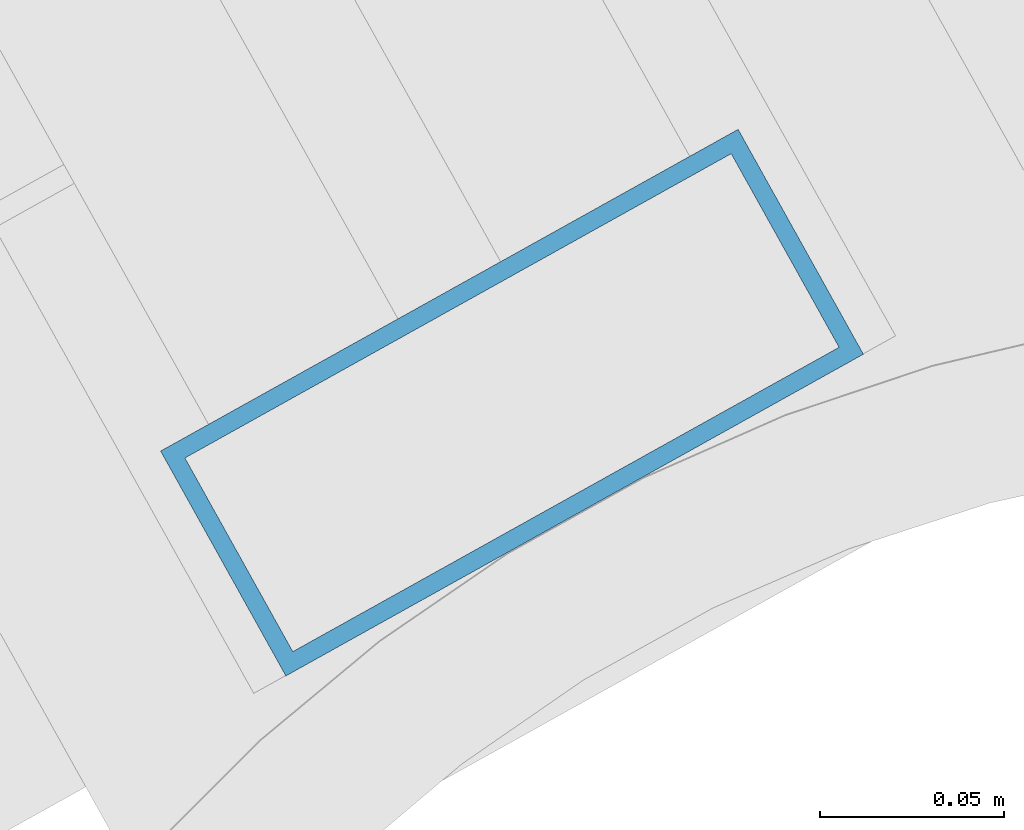
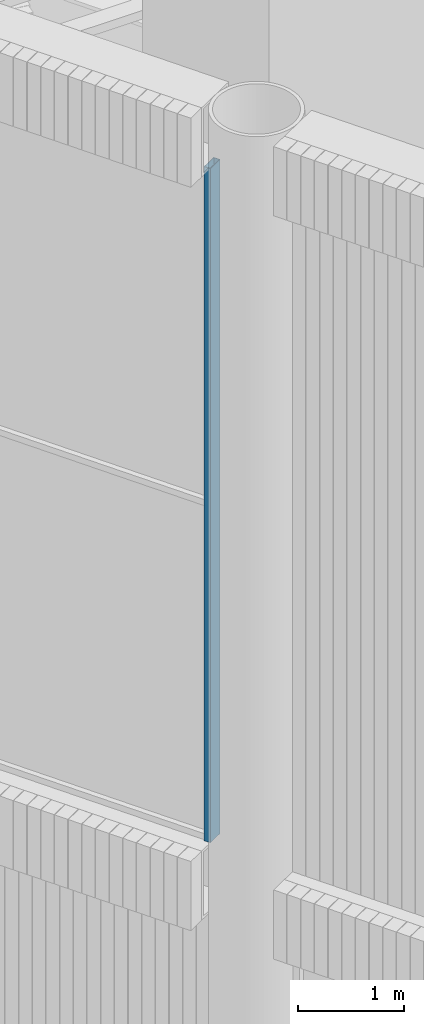
# One storey, part 4 of 117: 1 member, 1 element without a shape of its own.
"""IFC4 building model written with IfcOpenShell, lengths in metres."""

from ifc_helpers import new_model, si_unit, direction, frame, origin, origin_2d, place, context, subcontext, project, spatial, hollow_rectangle, extrude, material, layer, layer_set, material_profile, profile_set, type_object, element, aggregate, save


model = new_model("IFC4")

# Units and contexts
model_context = context("Model", 3, precision=1e-05, world=origin(), true_north=direction((0.0, 1.0)))
body_context = subcontext(model_context, "Body", "Model", "MODEL_VIEW")
ifc_project = project(units=[si_unit("LENGTHUNIT", "METRE"), si_unit("AREAUNIT", "SQUARE_METRE"), si_unit("VOLUMEUNIT", "CUBIC_METRE"), si_unit("PLANEANGLEUNIT", "RADIAN"), si_unit("MASSUNIT", "GRAM", prefix="KILO")], contexts=[model_context])

# Site, building, storey
site_placement = place(None, origin())
site = spatial("IfcSite", under=ifc_project, at=site_placement, CompositionType="ELEMENT")
building_placement = place(site_placement, origin())
building = spatial("IfcBuilding", under=site, at=building_placement, Name="Tarsis Ring Headquarters", CompositionType="ELEMENT")
storey_placement = place(building_placement, frame((0.0, 0.0, 403.60009765625)))
storey = spatial("IfcBuildingStorey", under=building, at=storey_placement, Name="L95", CompositionType="ELEMENT", Elevation=403.60009765625)

# Curtain wall, member
ifc_material_1 = material(Name="Aluminium curtain wall", Category="aluminium")
ifc_layer = layer(ifc_material_1, 0.179931640625)
ifc_layer_set = layer_set([ifc_layer], Name="Curtain wall crown glazing")
curtain_wall_type = type_object("IfcCurtainWallType", Name="Curtain wall crown glazing", PredefinedType="NOTDEFINED", material=ifc_layer_set)
curtain_wall_placement = place(storey_placement, origin())
curtain_wall = element("IfcCurtainWall", 1, at=curtain_wall_placement, inside=storey, type_object=curtain_wall_type, Name="Crown glazing U16", PredefinedType="NOTDEFINED")
ifc_material_2 = material(Name="Aluminium mullion", Category="aluminium")
ifc_material_profile = material_profile(ifc_material_2, hollow_rectangle(XDim=0.179931640625, YDim=0.070068359375, WallThickness=0.0048828125, at=origin_2d()), Name="RHS 180x70x5")
ifc_profile_set = profile_set([ifc_material_profile], Name="Aluminium mullion")
member_type = type_object("IfcMemberType", Name="Crown glazing mullion RHS 180x70x5", PredefinedType="MULLION", material=ifc_profile_set)
member_placement = place(storey_placement, frame((-37.629638671875, -20.3984375, 14.39990234375), z_axis=(0.0, 0.0, 1.0), x_axis=(0.873602436001, 0.48664030229, 0.0)))
member = element("IfcMember", 2, at=member_placement, type_object=member_type, Name="CW-C mullion 6", PredefinedType="MULLION", context=body_context, shape_type="SweptSolid", body=[
    extrude(hollow_rectangle(XDim=0.179931640625, YDim=0.070068359375, WallThickness=0.0048828125, at=origin_2d()), origin(), (0.0, 0.0, 1.0), 7.800048828125),
])
aggregate(curtain_wall, [member])

save(model, "model.ifc")
